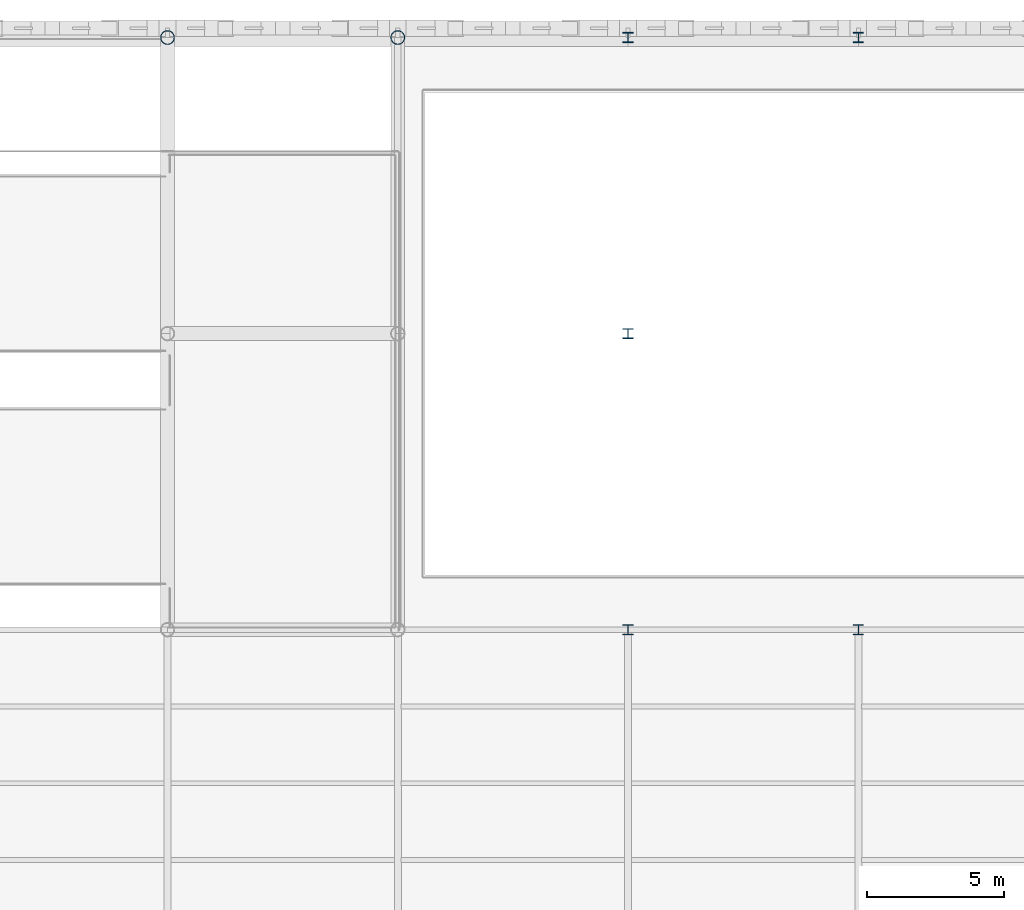
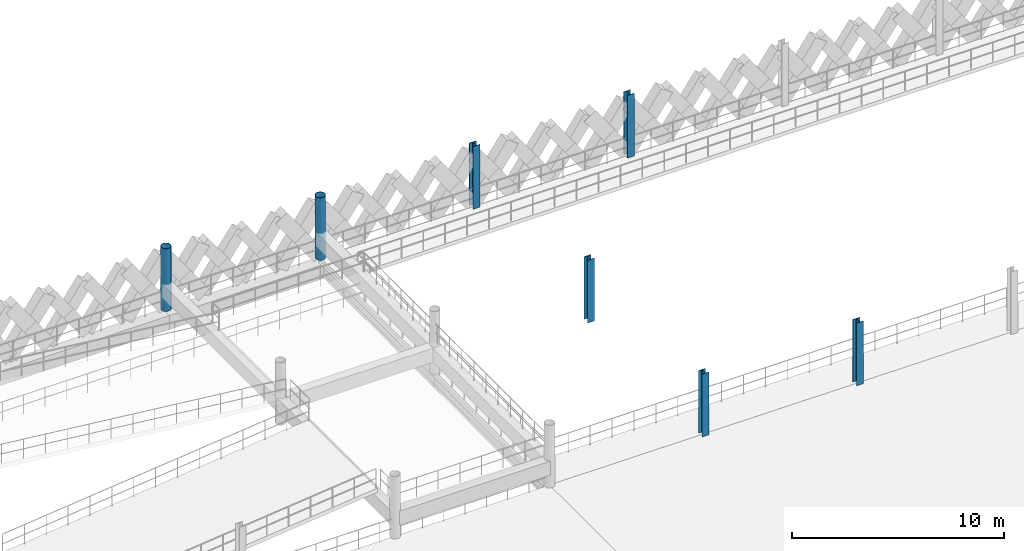
# One storey, part 10 of 62: 7 columns.
"""IFC4 building model written with IfcOpenShell, lengths in metres."""

from ifc_helpers import new_model, si_unit, direction, frame, origin, origin_2d, place, context, subcontext, project, spatial, hollow_circle, i_section, extrude, material, material_profile, profile_set, type_object, element, save


model = new_model("IFC4")

# Units and contexts
model_context = context("Model", 3, precision=1e-05, world=origin(), true_north=direction((0.0, 1.0)))
body_context = subcontext(model_context, "Body", "Model", "MODEL_VIEW")
ifc_project = project(units=[si_unit("LENGTHUNIT", "METRE"), si_unit("AREAUNIT", "SQUARE_METRE"), si_unit("VOLUMEUNIT", "CUBIC_METRE"), si_unit("PLANEANGLEUNIT", "RADIAN"), si_unit("MASSUNIT", "GRAM", prefix="KILO"), si_unit("THERMODYNAMICTEMPERATUREUNIT", "KELVIN"), si_unit("POWERUNIT", "WATT")], contexts=[model_context])

# Site, building, storey
site_placement = place(None, origin())
site = spatial("IfcSite", under=ifc_project, at=site_placement, CompositionType="ELEMENT")
building_placement = place(site_placement, origin())
building = spatial("IfcBuilding", under=site, at=building_placement, Name="Tembeka Court Mobility Hub", CompositionType="ELEMENT")
storey_placement = place(building_placement, frame((0.0, 0.0, 16.199951171875)))
storey = spatial("IfcBuildingStorey", under=building, at=storey_placement, Name="L04", CompositionType="ELEMENT", Elevation=16.199951171875)

# Columns
ifc_material = material(Name="Steel S355", Category="steel")
ifc_material_profile_1 = material_profile(ifc_material, i_section(OverallWidth=0.373046875, OverallDepth=0.367919921875, WebThickness=0.014404296875, FlangeThickness=0.023681640625, FilletRadius=0.01513671875, at=origin_2d()), Name="UKC 356x368x177")
ifc_profile_set_1 = profile_set([ifc_material_profile_1], Name="Steel S355")
column_type_1 = type_object("IfcColumnType", Name="COL-C03", PredefinedType="COLUMN", material=ifc_profile_set_1)
for number, where, z_axis, x_axis, name in (
    (1, (50.39990234375, 97.199951171875, 0.0), (0.0, 0.0, 1.0), (1.0, 0.0, 0.0), "Column C03 (L04-080)"),
    (2, (50.39990234375, 108.0, 0.0), (0.0, 0.0, 1.0), (1.0, 0.0, 0.0), "Column C03 (L04-081)"),
    (3, (50.39990234375, 118.800048828125, 0.0), (0.0, 0.0, 1.0), (1.0, 0.0, 0.0), "Column C03 (L04-082)"),
    (4, (58.800048828125, 97.199951171875, 0.0), (0.0, 0.0, 1.0), (1.0, 0.0, 0.0), "Column C03 (L04-091)"),
    (5, (58.800048828125, 118.800048828125, 0.0), (0.0, 0.0, 1.0), (1.0, 0.0, 0.0), "Column C03 (L04-092)"),
):
    element("IfcColumn", number, at=place(storey_placement, frame(where, z_axis=z_axis, x_axis=x_axis)), inside=storey, type_object=column_type_1, Name=name, PredefinedType="COLUMN", context=body_context, shape_type="SweptSolid", body=[
        extrude(i_section(OverallWidth=0.373046875, OverallDepth=0.367919921875, WebThickness=0.014404296875, FlangeThickness=0.023681640625, FilletRadius=0.01513671875, at=origin_2d()), origin(), (0.0, 0.0, 1.0), 3.60009765625),
    ])
ifc_material_profile_2 = material_profile(ifc_material, hollow_circle(Radius=0.25390625, WallThickness=0.01611328125, at=origin_2d()), Name="CHS 508x16")
ifc_profile_set_2 = profile_set([ifc_material_profile_2], Name="Steel S355")
column_type_2 = type_object("IfcColumnType", Name="COL-C08", PredefinedType="COLUMN", material=ifc_profile_set_2)
for number, where, z_axis, x_axis, name in (
    (6, (33.60009765625, 118.800048828125, 0.0), (0.0, 0.0, 1.0), (1.0, 0.0, 0.0), "Column C08 (L04-058)"),
    (7, (42.0, 118.800048828125, 0.0), (0.0, 0.0, 1.0), (1.0, 0.0, 0.0), "Column C08 (L04-070)"),
):
    element("IfcColumn", number, at=place(storey_placement, frame(where, z_axis=z_axis, x_axis=x_axis)), inside=storey, type_object=column_type_2, Name=name, PredefinedType="COLUMN", context=body_context, shape_type="SweptSolid", body=[
        extrude(hollow_circle(Radius=0.25390625, WallThickness=0.01611328125, at=origin_2d()), origin(), (0.0, 0.0, 1.0), 3.60009765625),
    ])

save(model, "model.ifc")
